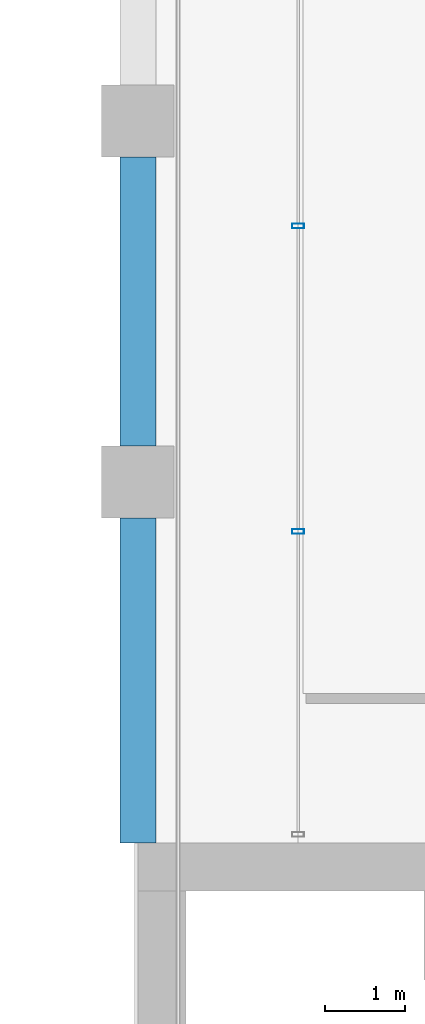
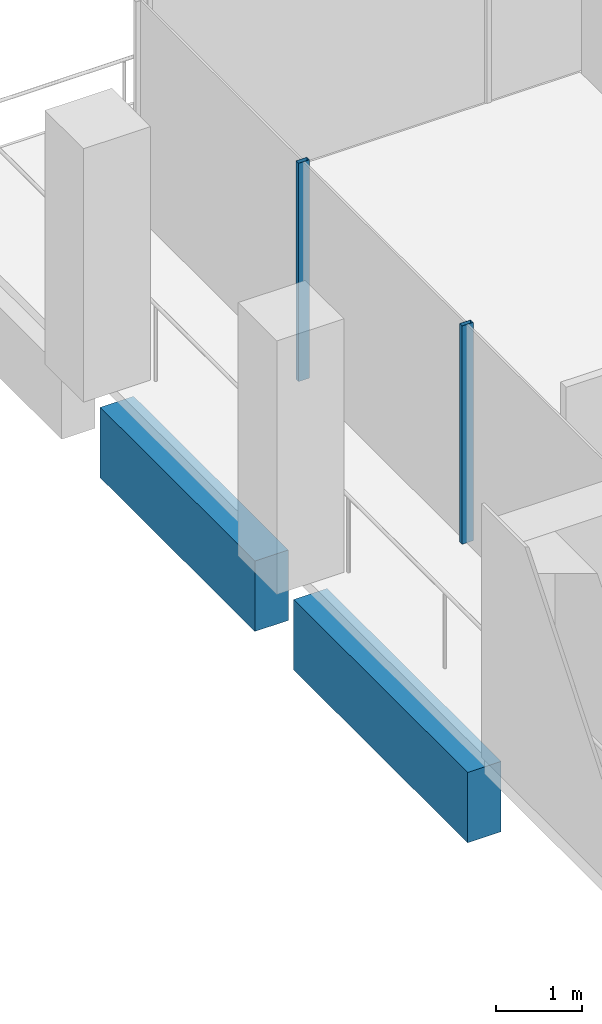
# One storey, part 20 of 40: 2 beams, 2 members, 1 element without a shape of its own.
"""IFC4 building model written with IfcOpenShell, lengths in metres."""

from ifc_helpers import new_model, si_unit, direction, frame, origin, origin_2d, place, context, subcontext, project, spatial, rectangle, hollow_rectangle, extrude, material, material_profile, profile_set, type_object, element, aggregate, save


model = new_model("IFC4")

# Units and contexts
model_context = context("Model", 3, precision=1e-05, world=origin(), true_north=direction((0.0, 1.0)))
body_context = subcontext(model_context, "Body", "Model", "MODEL_VIEW")
ifc_project = project(units=[si_unit("LENGTHUNIT", "METRE"), si_unit("AREAUNIT", "SQUARE_METRE"), si_unit("VOLUMEUNIT", "CUBIC_METRE"), si_unit("PLANEANGLEUNIT", "RADIAN"), si_unit("MASSUNIT", "GRAM", prefix="KILO")], contexts=[model_context])

# Site, building, storey
site_placement = place(None, origin())
site = spatial("IfcSite", under=ifc_project, at=site_placement, CompositionType="ELEMENT")
building_placement = place(site_placement, origin())
building = spatial("IfcBuilding", under=site, at=building_placement, Name="Altepetl Exchange Towers", CompositionType="ELEMENT")
storey_placement = place(building_placement, frame((0.0, 0.0, 183.39990234375)))
storey = spatial("IfcBuildingStorey", under=building, at=storey_placement, Name="L46", CompositionType="ELEMENT", Elevation=183.39990234375)

# Curtain wall, members
ifc_material_1 = material(Name="Aluminium 6063-T6 glazing", Category="aluminium")
curtain_wall_type = type_object("IfcCurtainWallType", Name="Loggia glazing system", PredefinedType="NOTDEFINED", material=ifc_material_1)
curtain_wall_placement = place(storey_placement, origin())
curtain_wall = element("IfcCurtainWall", 1, at=curtain_wall_placement, inside=storey, type_object=curtain_wall_type, Name="CW1 run", PredefinedType="NOTDEFINED")
ifc_material_2 = material(Name="Aluminium 6063-T6", Category="aluminium")
ifc_material_profile_1 = material_profile(ifc_material_2, hollow_rectangle(XDim=0.06005859375, YDim=0.14990234375, WallThickness=0.0029296875, at=origin_2d()), Name="Mullion 60x150 aluminium")
ifc_profile_set_1 = profile_set([ifc_material_profile_1], Name="Aluminium 6063-T6")
member_type = type_object("IfcMemberType", Name="Mullion 60x150 aluminium", PredefinedType="MULLION", material=ifc_profile_set_1)
member_1_placement = place(storey_placement, frame((42.5, 66.191650390625, 0.0), z_axis=(0.0, 0.0, 1.0), x_axis=(0.0, -1.0, 0.0)))
member_1 = element("IfcMember", 2, at=member_1_placement, type_object=member_type, Name="MU1 mullion", PredefinedType="MULLION", context=body_context, shape_type="SweptSolid", body=[
    extrude(hollow_rectangle(XDim=0.06005859375, YDim=0.14990234375, WallThickness=0.0029296875, at=origin_2d()), origin(), (0.0, 0.0, 1.0), 3.10009765625),
])
member_2_placement = place(storey_placement, frame((42.5, 62.38330078125, 0.0), z_axis=(0.0, 0.0, 1.0), x_axis=(0.0, -1.0, 0.0)))
member_2 = element("IfcMember", 3, at=member_2_placement, type_object=member_type, Name="MU1 mullion", PredefinedType="MULLION", context=body_context, shape_type="SweptSolid", body=[
    extrude(hollow_rectangle(XDim=0.06005859375, YDim=0.14990234375, WallThickness=0.0029296875, at=origin_2d()), origin(), (0.0, 0.0, 1.0), 3.10009765625),
])
aggregate(curtain_wall, [member_1, member_2])

# Beams
ifc_material_3 = material(Name="Concrete C50/60 precast with tezontle facing", Category="concrete")
ifc_material_profile_2 = material_profile(ifc_material_3, rectangle(XDim=0.449951171875, YDim=1.0, at=origin_2d()), Name="450 x 1000")
ifc_profile_set_2 = profile_set([ifc_material_profile_2], Name="Concrete C50/60 precast with tezontle facing")
beam_type = type_object("IfcBeamType", Name="Spandrel beam 450x1000 tezontle", PredefinedType="SPANDREL", material=ifc_profile_set_2)
beam_1_placement = place(storey_placement, frame((40.5, 67.050048828125, -0.64990234375), z_axis=(0.0, -1.0, 0.0), x_axis=(1.0, 0.0, 0.0)))
element("IfcBeam", 4, at=beam_1_placement, inside=storey, type_object=beam_type, Name="sp:A:L46:031", PredefinedType="SPANDREL", context=body_context, shape_type="SweptSolid", body=[
    extrude(rectangle(XDim=0.449951171875, YDim=1.0, at=origin_2d()), origin(), (0.0, 0.0, 1.0), 3.60009765625),
])
beam_2_placement = place(storey_placement, frame((40.5, 62.550048828125, -0.64990234375), z_axis=(0.0, -1.0, 0.0), x_axis=(1.0, 0.0, 0.0)))
element("IfcBeam", 5, at=beam_2_placement, inside=storey, type_object=beam_type, Name="sp:A:L46:032", PredefinedType="SPANDREL", context=body_context, shape_type="SweptSolid", body=[
    extrude(rectangle(XDim=0.449951171875, YDim=1.0, at=origin_2d()), origin(), (0.0, 0.0, 1.0), 4.050048828125),
])

save(model, "model.ifc")
